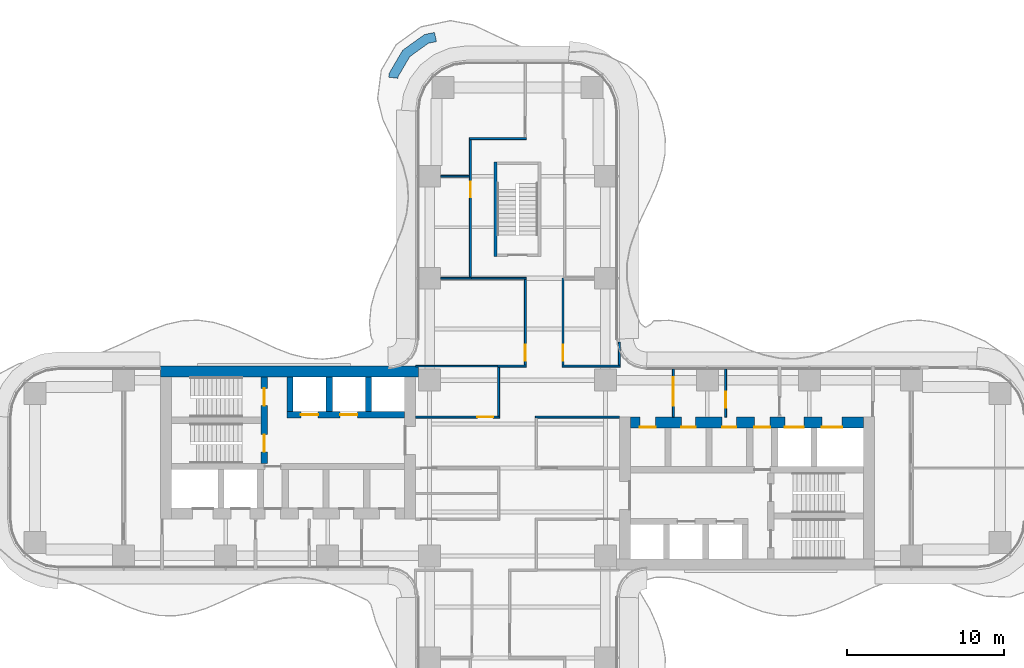
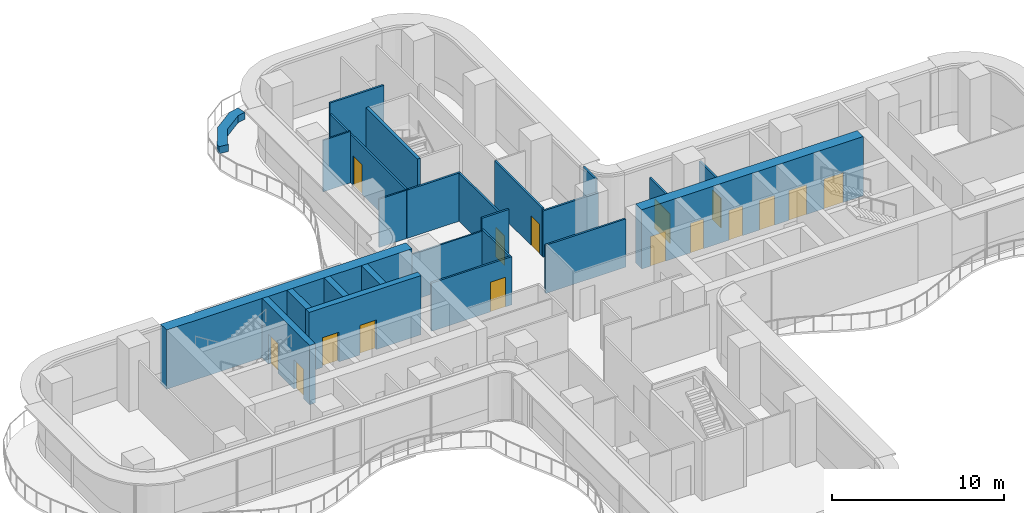
# One storey, part 19 of 22: 25 walls, 16 doors, 16 openings.
"""IFC4 building model written with IfcOpenShell, lengths in metres."""

from ifc_helpers import new_model, si_unit, direction, frame, frame_2d, origin, place, context, subcontext, project, spatial, polyline, rectangle, outline, extrude, source, transform, mapped, material, layer, layer_set, type_object, element, fill, save


model = new_model("IFC4")

# Units and contexts
model_context = context("Model", 3, precision=1e-05, world=origin(), true_north=direction((0.0, 1.0)))
body_context = subcontext(model_context, "Body", "Model", "MODEL_VIEW")
ifc_project = project(units=[si_unit("LENGTHUNIT", "METRE"), si_unit("AREAUNIT", "SQUARE_METRE"), si_unit("VOLUMEUNIT", "CUBIC_METRE"), si_unit("PLANEANGLEUNIT", "RADIAN"), si_unit("MASSUNIT", "GRAM", prefix="KILO")], contexts=[model_context])

# Site, building, storey
site_placement = place(None, origin())
site = spatial("IfcSite", under=ifc_project, at=site_placement, CompositionType="ELEMENT")
building_placement = place(site_placement, origin())
building = spatial("IfcBuilding", under=site, at=building_placement, Name="Trellis Farm Tower", CompositionType="ELEMENT")
storey_placement = place(building_placement, frame((0.0, 0.0, 88.0)))
storey = spatial("IfcBuildingStorey", under=building, at=storey_placement, Name="L18", CompositionType="ELEMENT", Elevation=88.0)

# Wall
ifc_material_1 = material(Name="Plasterboard on steel studs", Category="steel")
ifc_layer_1 = layer(ifc_material_1, 0.10009765625)
ifc_layer_set_1 = layer_set([ifc_layer_1], Name="PARTITION 100 STUD EI 30")
wall_type_1 = type_object("IfcWallType", Name="PARTITION 100 STUD EI 30", PredefinedType="PARTITIONING", material=ifc_layer_set_1)
wall_1_placement = place(storey_placement, frame((-4.89990234375, 18.60009765625, 0.0), z_axis=(0.0, 0.0, 1.0), x_axis=(1.0, 0.0, 0.0)))
element("IfcWall", 1, at=wall_1_placement, inside=storey, type_object=wall_type_1, Name="Partition PW2", PredefinedType="PARTITIONING", context=body_context, shape_type="SweptSolid", body=[
    extrude(rectangle(XDim=1.83740234375, YDim=0.10009765625, at=frame_2d((0.918701171875, 0.0))), origin(), (0.0, 0.0, 1.0), 3.64697265625),
])

# Wall, opening, door
ifc_material_2 = material(Name="Plasterboard on steel studs, mineral wool", Category="steel")
ifc_layer_2 = layer(ifc_material_2, 0.125)
ifc_layer_set_2 = layer_set([ifc_layer_2], Name="PARTITION 125 STUD EI 60")
wall_type_2 = type_object("IfcWallType", Name="PARTITION 125 STUD EI 60", PredefinedType="PARTITIONING", material=ifc_layer_set_2)
wall_2_placement = place(storey_placement, frame((-3.0, 12.14990234375, 0.0), z_axis=(0.0, 0.0, 1.0), x_axis=(0.0, 1.0, 0.0)))
wall_2 = element("IfcWall", 2, at=wall_2_placement, inside=storey, type_object=wall_type_2, Name="Partition PW1", PredefinedType="PARTITIONING", context=body_context, shape_type="SweptSolid", body=[
    extrude(rectangle(XDim=8.78759765625, YDim=0.125, at=frame_2d((4.393798828125, 0.0))), origin(), (0.0, 0.0, 1.0), 3.417724609375),
])
shared_shape_1 = source(origin(), body_context, "Body", "SweptSolid", [
    extrude(rectangle(XDim=1.0, YDim=2.10009765625, at=frame_2d((0.5, 1.050048828125))), frame((0.0, 0.072509765625, 0.0), z_axis=(0.0, -1.0, 0.0), x_axis=(1.0, 0.0, 0.0)), (0.0, 0.0, 1.0), 0.14501953125),
])
opening_1_placement = place(wall_2_placement, frame((5.10009765625, 0.0, 0.0)))
opening_1 = element("IfcOpeningElement", 3, at=opening_1_placement, cuts=wall_2, Name="Opening D112", PredefinedType="OPENING", context=body_context, shape_type="MappedRepresentation", body=[
    mapped(shared_shape_1, transform((0.0, 0.0, 0.0))),
])
ifc_material_3 = material(Name="Fire-rated timber door leaf in a hollow metal frame", Category="wood")
door_type_1 = type_object("IfcDoorType", Name="DOOR 1000x2100 FD30S", OperationType="NOTDEFINED", PredefinedType="DOOR", material=ifc_material_3)
shared_shape_2 = source(origin(), body_context, "Body", "SweptSolid", [
    extrude(rectangle(XDim=1.0, YDim=2.10009765625, at=frame_2d((0.5, 1.050048828125))), frame((0.0, 0.02490234375, 0.0), z_axis=(0.0, -1.0, 0.0), x_axis=(1.0, 0.0, 0.0)), (0.0, 0.0, 1.0), 0.050048828125),
])
door_1_placement = place(opening_1_placement, origin())
door_1 = element("IfcDoor", 4, at=door_1_placement, inside=storey, type_object=door_type_1, Name="Door D112", OperationType="SINGLE_SWING_RIGHT", OverallHeight=2.10009765625, OverallWidth=1.0, PredefinedType="DOOR", context=body_context, shape_type="MappedRepresentation", body=[
    mapped(shared_shape_2, transform((0.0, 0.0, 0.0))),
])
fill(opening_1, door_1)

# Walls
wall_3_placement = place(storey_placement, frame((-3.0625, 21.0, 0.0), z_axis=(0.0, 0.0, 1.0), x_axis=(1.0, 0.0, 0.0)))
element("IfcWall", 5, at=wall_3_placement, inside=storey, type_object=wall_type_2, Name="Partition PW1", PredefinedType="PARTITIONING", context=body_context, shape_type="SweptSolid", body=[
    extrude(rectangle(XDim=3.625, YDim=0.125, at=frame_2d((1.8125, 0.0))), origin(), (0.0, 0.0, 1.0), 4.199951171875),
])
ifc_material_4 = material(Name="Sandstone faced masonry planter", Category="masonry")
ifc_layer_3 = layer(ifc_material_4, 0.60009765625)
ifc_layer_set_3 = layer_set([ifc_layer_3], Name="PLANTER BED 600")
wall_type_3 = type_object("IfcWallType", Name="PLANTER BED 600", PredefinedType="USERDEFINED", material=ifc_layer_set_3)
wall_4_placement = place(storey_placement, origin())
element("IfcWall", 6, at=wall_4_placement, inside=storey, type_object=wall_type_3, Name="PLANTER bed", ObjectType="PLANTER", PredefinedType="USERDEFINED", context=body_context, shape_type="SweptSolid", body=[
    extrude(outline(polyline([(-8.178466796875, 25.1669921875), (-7.3173828125, 26.63720703125), (-5.927734375, 27.63427734375), (-5.288818359375, 27.76904296875), (-5.164794921875, 27.181884765625), (-5.680419921875, 27.072998046875), (-6.864013671875, 26.223876953125), (-7.598876953125, 24.969482421875), (-7.615478515625, 24.839111328125), (-8.210693359375, 24.915283203125), (-8.178466796875, 25.1669921875)])), origin(), (0.0, 0.0, 1.0), 0.5),
])
ifc_material_5 = material(Name="Concrete C80/95", Category="concrete")
ifc_layer_4 = layer(ifc_material_5, 0.39990234375)
ifc_layer_set_4 = layer_set([ifc_layer_4], Name="CORE INNER WALL 400 CONCRETE C80/95")
wall_type_4 = type_object("IfcWallType", Name="CORE INNER WALL 400 CONCRETE C80/95", PredefinedType="SHEAR", material=ifc_layer_set_4)
shared_shape_3 = source(origin(), body_context, "Body", "SweptSolid", [
    extrude(rectangle(XDim=2.199951171875, YDim=0.39990234375, at=frame_2d((1.10009765625, 0.0))), origin(), (0.0, 0.0, 1.0), 4.199951171875),
])
for number, where, z_axis, x_axis, name in (
    (7, (-9.5, 5.800048828125, 0.0), (0.0, 0.0, 1.0), (0.0, -1.0, 0.0), "Core wall"),
    (8, (-12.0, 5.800048828125, 0.0), (0.0, 0.0, 1.0), (0.0, -1.0, 0.0), "Core wall"),
    (9, (-14.5, 5.800048828125, 0.0), (0.0, 0.0, 1.0), (0.0, -1.0, 0.0), "Core wall"),
):
    element("IfcWall", number, at=place(storey_placement, frame(where, z_axis=z_axis, x_axis=x_axis)), inside=storey, type_object=wall_type_4, Name=name, PredefinedType="SHEAR", context=body_context, shape_type="MappedRepresentation", body=[
        mapped(shared_shape_3, transform((0.0, 0.0, 0.0))),
    ])
ifc_layer_5 = layer(ifc_material_5, 0.699951171875)
ifc_layer_set_5 = layer_set([ifc_layer_5], Name="CORE OUTER WALL 700 CONCRETE C80/95")
wall_type_5 = type_object("IfcWallType", Name="CORE OUTER WALL 700 CONCRETE C80/95", PredefinedType="SHEAR", material=ifc_layer_set_5)
shared_shape_4 = source(origin(), body_context, "Body", "SweptSolid", [
    extrude(rectangle(XDim=16.449951171875, YDim=0.699951171875, at=frame_2d((8.22509765625, 0.0))), origin(), (0.0, 0.0, 1.0), 4.199951171875),
])
wall_5_placement = place(storey_placement, frame((-6.300048828125, 6.14990234375, 0.0), z_axis=(0.0, 0.0, 1.0), x_axis=(-1.0, 0.0, 0.0)))
element("IfcWall", 10, at=wall_5_placement, inside=storey, type_object=wall_type_5, Name="Core wall", PredefinedType="SHEAR", context=body_context, shape_type="MappedRepresentation", body=[
    mapped(shared_shape_4, transform((0.0, 0.0, 0.0))),
])

# Wall, openings, doors
shared_shape_5 = source(origin(), body_context, "Body", "SweptSolid", [
    extrude(rectangle(XDim=14.85009765625, YDim=0.699951171875, at=frame_2d((7.425048828125, 0.0))), origin(), (0.0, 0.0, 1.0), 4.199951171875),
])
wall_6_placement = place(storey_placement, frame((7.199951171875, 2.89990234375, 0.0), z_axis=(0.0, 0.0, 1.0), x_axis=(1.0, 0.0, 0.0)))
wall_6 = element("IfcWall", 11, at=wall_6_placement, inside=storey, type_object=wall_type_5, Name="Core wall", PredefinedType="SHEAR", context=body_context, shape_type="MappedRepresentation", body=[
    mapped(shared_shape_5, transform((0.0, 0.0, 0.0))),
])
shared_shape_6 = source(origin(), body_context, "Body", "SweptSolid", [
    extrude(rectangle(XDim=1.300048828125, YDim=2.10009765625, at=frame_2d((0.64990234375, 1.050048828125))), frame((0.0, 0.360107421875, 0.0), z_axis=(0.0, -1.0, 0.0), x_axis=(1.0, 0.0, 0.0)), (0.0, 0.0, 1.0), 0.72021484375),
])
opening_2_placement = place(wall_6_placement, frame((12.199951171875, 0.0, 0.0)))
opening_2 = element("IfcOpeningElement", 12, at=opening_2_placement, cuts=wall_6, Name="Opening LD7", PredefinedType="OPENING", context=body_context, shape_type="MappedRepresentation", body=[
    mapped(shared_shape_6, transform((0.0, 0.0, 0.0))),
])
shared_shape_7 = source(origin(), body_context, "Body", "SweptSolid", [
    extrude(rectangle(XDim=1.199951171875, YDim=2.10009765625, at=frame_2d((0.60009765625, 1.050048828125))), frame((0.0, 0.360107421875, 0.0), z_axis=(0.0, -1.0, 0.0), x_axis=(1.0, 0.0, 0.0)), (0.0, 0.0, 1.0), 0.72021484375),
])
opening_3_placement = place(wall_6_placement, frame((9.85009765625, 0.0, 0.0)))
opening_3 = element("IfcOpeningElement", 13, at=opening_3_placement, cuts=wall_6, Name="Opening LD8", PredefinedType="OPENING", context=body_context, shape_type="MappedRepresentation", body=[
    mapped(shared_shape_7, transform((0.0, 0.0, 0.0))),
])
shared_shape_8 = source(origin(), body_context, "Body", "SweptSolid", [
    extrude(rectangle(XDim=1.0, YDim=2.10009765625, at=frame_2d((0.5, 1.050048828125))), frame((0.0, 0.360107421875, 0.0), z_axis=(0.0, -1.0, 0.0), x_axis=(1.0, 0.0, 0.0)), (0.0, 0.0, 1.0), 0.72021484375),
])
opening_4_placement = place(wall_6_placement, frame((7.89990234375, 0.0, 0.0)))
opening_4 = element("IfcOpeningElement", 14, at=opening_4_placement, cuts=wall_6, Name="Opening DC6", PredefinedType="OPENING", context=body_context, shape_type="MappedRepresentation", body=[
    mapped(shared_shape_8, transform((0.0, 0.0, 0.0))),
])
opening_5_placement = place(wall_6_placement, frame((0.60009765625, 0.0, 0.0)))
opening_5 = element("IfcOpeningElement", 15, at=opening_5_placement, cuts=wall_6, Name="Opening DC13", PredefinedType="OPENING", context=body_context, shape_type="MappedRepresentation", body=[
    mapped(shared_shape_8, transform((0.0, 0.0, 0.0))),
])
shared_shape_9 = source(origin(), body_context, "Body", "SweptSolid", [
    extrude(rectangle(XDim=0.89990234375, YDim=2.10009765625, at=frame_2d((0.449951171875, 1.050048828125))), frame((0.0, 0.360107421875, 0.0), z_axis=(0.0, -1.0, 0.0), x_axis=(1.0, 0.0, 0.0)), (0.0, 0.0, 1.0), 0.72021484375),
])
opening_6_placement = place(wall_6_placement, frame((3.25, 0.0, 0.0)))
opening_6 = element("IfcOpeningElement", 16, at=opening_6_placement, cuts=wall_6, Name="Opening DC24", PredefinedType="OPENING", context=body_context, shape_type="MappedRepresentation", body=[
    mapped(shared_shape_9, transform((0.0, 0.0, 0.0))),
])
opening_7_placement = place(wall_6_placement, frame((5.85009765625, 0.0, 0.0)))
opening_7 = element("IfcOpeningElement", 17, at=opening_7_placement, cuts=wall_6, Name="Opening DC35", PredefinedType="OPENING", context=body_context, shape_type="MappedRepresentation", body=[
    mapped(shared_shape_9, transform((0.0, 0.0, 0.0))),
])
ifc_material_6 = material(Name="Steel", Category="steel")
door_type_2 = type_object("IfcDoorType", Name="CORE FIRE DOOR 1000 X 2100", OperationType="NOTDEFINED", PredefinedType="DOOR", material=ifc_material_6)
shared_shape_10 = source(origin(), body_context, "Body", "SweptSolid", [
    extrude(rectangle(XDim=1.0, YDim=2.10009765625, at=frame_2d((0.5, 1.050048828125))), frame((0.0, -0.27490234375, 0.0), z_axis=(0.0, -1.0, 0.0), x_axis=(1.0, 0.0, 0.0)), (0.0, 0.0, 1.0), 0.050048828125),
])
door_2_placement = place(opening_4_placement, origin())
door_2 = element("IfcDoor", 18, at=door_2_placement, inside=storey, type_object=door_type_2, Name="Core door", OperationType="SINGLE_SWING_LEFT", OverallHeight=2.10009765625, OverallWidth=1.0, PredefinedType="DOOR", context=body_context, shape_type="MappedRepresentation", body=[
    mapped(shared_shape_10, transform((0.0, 0.0, 0.0))),
])
fill(opening_4, door_2)
door_3_placement = place(opening_5_placement, origin())
door_3 = element("IfcDoor", 19, at=door_3_placement, inside=storey, type_object=door_type_2, Name="Core door", OperationType="SINGLE_SWING_LEFT", OverallHeight=2.10009765625, OverallWidth=1.0, PredefinedType="DOOR", context=body_context, shape_type="MappedRepresentation", body=[
    mapped(shared_shape_10, transform((0.0, 0.0, 0.0))),
])
fill(opening_5, door_3)
door_type_3 = type_object("IfcDoorType", Name="CORE FIRE DOOR 900 X 2100", OperationType="NOTDEFINED", PredefinedType="DOOR", material=ifc_material_6)
shared_shape_11 = source(origin(), body_context, "Body", "SweptSolid", [
    extrude(rectangle(XDim=0.89990234375, YDim=2.10009765625, at=frame_2d((0.449951171875, 1.050048828125))), frame((0.0, -0.27490234375, 0.0), z_axis=(0.0, -1.0, 0.0), x_axis=(1.0, 0.0, 0.0)), (0.0, 0.0, 1.0), 0.050048828125),
])
door_4_placement = place(opening_6_placement, origin())
door_4 = element("IfcDoor", 20, at=door_4_placement, inside=storey, type_object=door_type_3, Name="Core door", OperationType="SINGLE_SWING_RIGHT", OverallHeight=2.10009765625, OverallWidth=0.89990234375, PredefinedType="DOOR", context=body_context, shape_type="MappedRepresentation", body=[
    mapped(shared_shape_11, transform((0.0, 0.0, 0.0))),
])
fill(opening_6, door_4)
door_5_placement = place(opening_7_placement, origin())
door_5 = element("IfcDoor", 21, at=door_5_placement, inside=storey, type_object=door_type_3, Name="Core door", OperationType="SINGLE_SWING_LEFT", OverallHeight=2.10009765625, OverallWidth=0.89990234375, PredefinedType="DOOR", context=body_context, shape_type="MappedRepresentation", body=[
    mapped(shared_shape_11, transform((0.0, 0.0, 0.0))),
])
fill(opening_7, door_5)
ifc_material_7 = material(Name="Stainless steel", Category="steel")
door_type_4 = type_object("IfcDoorType", Name="LIFT LANDING DOOR 1300 X 2100", OperationType="DOUBLE_DOOR_SLIDING", PredefinedType="DOOR", material=ifc_material_7)
shared_shape_12 = source(origin(), body_context, "Body", "SweptSolid", [
    extrude(rectangle(XDim=1.300048828125, YDim=2.10009765625, at=frame_2d((0.64990234375, 1.050048828125))), frame((0.0, -0.27490234375, 0.0), z_axis=(0.0, -1.0, 0.0), x_axis=(1.0, 0.0, 0.0)), (0.0, 0.0, 1.0), 0.050048828125),
])
door_6_placement = place(opening_2_placement, origin())
door_6 = element("IfcDoor", 22, at=door_6_placement, inside=storey, type_object=door_type_4, Name="Lift landing door", OperationType="DOUBLE_DOOR_SLIDING", OverallHeight=2.10009765625, OverallWidth=1.300048828125, PredefinedType="DOOR", context=body_context, shape_type="MappedRepresentation", body=[
    mapped(shared_shape_12, transform((0.0, 0.0, 0.0))),
])
fill(opening_2, door_6)
door_type_5 = type_object("IfcDoorType", Name="LIFT LANDING DOOR 1200 X 2100", OperationType="DOUBLE_DOOR_SLIDING", PredefinedType="DOOR", material=ifc_material_7)
shared_shape_13 = source(origin(), body_context, "Body", "SweptSolid", [
    extrude(rectangle(XDim=1.199951171875, YDim=2.10009765625, at=frame_2d((0.60009765625, 1.050048828125))), frame((0.0, -0.27490234375, 0.0), z_axis=(0.0, -1.0, 0.0), x_axis=(1.0, 0.0, 0.0)), (0.0, 0.0, 1.0), 0.050048828125),
])
door_7_placement = place(opening_3_placement, origin())
door_7 = element("IfcDoor", 23, at=door_7_placement, inside=storey, type_object=door_type_5, Name="Lift landing door", OperationType="DOUBLE_DOOR_SLIDING", OverallHeight=2.10009765625, OverallWidth=1.199951171875, PredefinedType="DOOR", context=body_context, shape_type="MappedRepresentation", body=[
    mapped(shared_shape_13, transform((0.0, 0.0, 0.0))),
])
fill(opening_3, door_7)

shared_shape_14 = source(origin(), body_context, "Body", "SweptSolid", [
    extrude(rectangle(XDim=7.5, YDim=0.39990234375, at=frame_2d((3.75, 0.0))), origin(), (0.0, 0.0, 1.0), 4.199951171875),
])
wall_7_placement = place(storey_placement, frame((-7.199951171875, 3.39990234375, 0.0), z_axis=(0.0, 0.0, 1.0), x_axis=(-1.0, 0.0, 0.0)))
wall_7 = element("IfcWall", 24, at=wall_7_placement, inside=storey, type_object=wall_type_4, Name="Core wall", PredefinedType="SHEAR", context=body_context, shape_type="MappedRepresentation", body=[
    mapped(shared_shape_14, transform((0.0, 0.0, 0.0))),
])
shared_shape_15 = source(origin(), body_context, "Body", "SweptSolid", [
    extrude(rectangle(XDim=1.10009765625, YDim=2.10009765625, at=frame_2d((0.550048828125, 1.050048828125))), frame((0.0, 0.2099609375, 0.0), z_axis=(0.0, -1.0, 0.0), x_axis=(1.0, 0.0, 0.0)), (0.0, 0.0, 1.0), 0.419921875),
])
opening_8_placement = place(wall_7_placement, frame((3.0, 0.0, 0.0)))
opening_8 = element("IfcOpeningElement", 25, at=opening_8_placement, cuts=wall_7, Name="Opening LD10", PredefinedType="OPENING", context=body_context, shape_type="MappedRepresentation", body=[
    mapped(shared_shape_15, transform((0.0, 0.0, 0.0))),
])
opening_9_placement = place(wall_7_placement, frame((5.5, 0.0, 0.0)))
opening_9 = element("IfcOpeningElement", 26, at=opening_9_placement, cuts=wall_7, Name="Opening LD11", PredefinedType="OPENING", context=body_context, shape_type="MappedRepresentation", body=[
    mapped(shared_shape_15, transform((0.0, 0.0, 0.0))),
])
door_type_6 = type_object("IfcDoorType", Name="LIFT LANDING DOOR 1100 X 2100", OperationType="DOUBLE_DOOR_SLIDING", PredefinedType="DOOR", material=ifc_material_7)
shared_shape_16 = source(origin(), body_context, "Body", "SweptSolid", [
    extrude(rectangle(XDim=1.10009765625, YDim=2.10009765625, at=frame_2d((0.550048828125, 1.050048828125))), frame((0.0, 0.02490234375, 0.0), z_axis=(0.0, -1.0, 0.0), x_axis=(1.0, 0.0, 0.0)), (0.0, 0.0, 1.0), 0.050048828125),
])
door_8_placement = place(opening_8_placement, origin())
door_8 = element("IfcDoor", 27, at=door_8_placement, inside=storey, type_object=door_type_6, Name="Lift landing door", OperationType="DOUBLE_DOOR_SLIDING", OverallHeight=2.10009765625, OverallWidth=1.10009765625, PredefinedType="DOOR", context=body_context, shape_type="MappedRepresentation", body=[
    mapped(shared_shape_16, transform((0.0, 0.0, 0.0))),
])
fill(opening_8, door_8)
door_9_placement = place(opening_9_placement, origin())
door_9 = element("IfcDoor", 28, at=door_9_placement, inside=storey, type_object=door_type_6, Name="Lift landing door", OperationType="DOUBLE_DOOR_SLIDING", OverallHeight=2.10009765625, OverallWidth=1.10009765625, PredefinedType="DOOR", context=body_context, shape_type="MappedRepresentation", body=[
    mapped(shared_shape_16, transform((0.0, 0.0, 0.0))),
])
fill(opening_9, door_9)

shared_shape_17 = source(origin(), body_context, "Body", "SweptSolid", [
    extrude(rectangle(XDim=5.5, YDim=0.39990234375, at=frame_2d((2.75, 0.0))), origin(), (0.0, 0.0, 1.0), 4.199951171875),
])
wall_8_placement = place(storey_placement, frame((-16.14990234375, 5.800048828125, 0.0), z_axis=(0.0, 0.0, 1.0), x_axis=(0.0, -1.0, 0.0)))
wall_8 = element("IfcWall", 29, at=wall_8_placement, inside=storey, type_object=wall_type_4, Name="Core wall", PredefinedType="SHEAR", context=body_context, shape_type="MappedRepresentation", body=[
    mapped(shared_shape_17, transform((0.0, 0.0, 0.0))),
])
opening_10_placement = place(wall_8_placement, frame((0.72509765625, 0.0, 0.0)))
opening_10 = element("IfcOpeningElement", 30, at=opening_10_placement, cuts=wall_8, Name="Opening DC88", PredefinedType="OPENING", context=body_context, shape_type="MappedRepresentation", body=[
    mapped(shared_shape_15, transform((0.0, 0.0, 0.0))),
])
opening_11_placement = place(wall_8_placement, frame((3.675048828125, 0.0, 0.0)))
opening_11 = element("IfcOpeningElement", 31, at=opening_11_placement, cuts=wall_8, Name="Opening DC89", PredefinedType="OPENING", context=body_context, shape_type="MappedRepresentation", body=[
    mapped(shared_shape_15, transform((0.0, 0.0, 0.0))),
])
door_type_7 = type_object("IfcDoorType", Name="CORE FIRE DOOR 1100 X 2100", OperationType="NOTDEFINED", PredefinedType="DOOR", material=ifc_material_6)
door_10_placement = place(opening_10_placement, origin())
door_10 = element("IfcDoor", 32, at=door_10_placement, inside=storey, type_object=door_type_7, Name="Core door", OperationType="SINGLE_SWING_RIGHT", OverallHeight=2.10009765625, OverallWidth=1.10009765625, PredefinedType="DOOR", context=body_context, shape_type="MappedRepresentation", body=[
    mapped(shared_shape_16, transform((0.0, 0.0, 0.0))),
])
fill(opening_10, door_10)
door_11_placement = place(opening_11_placement, origin())
door_11 = element("IfcDoor", 33, at=door_11_placement, inside=storey, type_object=door_type_7, Name="Core door", OperationType="SINGLE_SWING_LEFT", OverallHeight=2.10009765625, OverallWidth=1.10009765625, PredefinedType="DOOR", context=body_context, shape_type="MappedRepresentation", body=[
    mapped(shared_shape_16, transform((0.0, 0.0, 0.0))),
])
fill(opening_11, door_11)

# Wall
ifc_layer_6 = layer(ifc_material_5, 0.199951171875)
ifc_layer_set_6 = layer_set([ifc_layer_6], Name="CORE STAIR ENCLOSURE WALL 200 CONCRETE C80/95")
wall_type_6 = type_object("IfcWallType", Name="CORE STAIR ENCLOSURE WALL 200 CONCRETE C80/95", PredefinedType="SHEAR", material=ifc_layer_set_6)
shared_shape_18 = source(origin(), body_context, "Body", "SweptSolid", [
    extrude(rectangle(XDim=6.0, YDim=0.199951171875, at=frame_2d((3.0, 0.0))), origin(), (0.0, 0.0, 1.0), 4.199951171875),
])
wall_9_placement = place(storey_placement, frame((-1.39990234375, 13.5, 0.0), z_axis=(0.0, 0.0, 1.0), x_axis=(0.0, 1.0, 0.0)))
element("IfcWall", 34, at=wall_9_placement, inside=storey, type_object=wall_type_6, Name="Stair enclosure wall", PredefinedType="SHEAR", context=body_context, shape_type="MappedRepresentation", body=[
    mapped(shared_shape_18, transform((0.0, 0.0, 0.0))),
])

# Wall, opening, door
shared_shape_19 = source(origin(), body_context, "Body", "SweptSolid", [
    extrude(rectangle(XDim=3.050048828125, YDim=0.125, at=frame_2d((1.52490234375, 0.0))), origin(), (0.0, 0.0, 1.0), 3.280029296875),
])
wall_10_placement = place(storey_placement, frame((9.93408203125, 3.25, 0.0), z_axis=(0.0, 0.0, 1.0), x_axis=(0.0, 1.0, 0.0)))
wall_10 = element("IfcWall", 35, at=wall_10_placement, inside=storey, type_object=wall_type_2, Name="Partition PW1", PredefinedType="PARTITIONING", context=body_context, shape_type="MappedRepresentation", body=[
    mapped(shared_shape_19, transform((0.0, 0.0, 0.0))),
])
shared_shape_20 = source(origin(), body_context, "Body", "SweptSolid", [
    extrude(rectangle(XDim=1.800048828125, YDim=2.10009765625, at=frame_2d((0.89990234375, 1.050048828125))), frame((0.0, 0.072509765625, 0.0), z_axis=(0.0, -1.0, 0.0), x_axis=(1.0, 0.0, 0.0)), (0.0, 0.0, 1.0), 0.14501953125),
])
opening_12_placement = place(wall_10_placement, frame((0.72509765625, 0.0, 0.0)))
opening_12 = element("IfcOpeningElement", 36, at=opening_12_placement, cuts=wall_10, Name="Opening D402", PredefinedType="OPENING", context=body_context, shape_type="MappedRepresentation", body=[
    mapped(shared_shape_20, transform((0.0, 0.0, 0.0))),
])
door_type_8 = type_object("IfcDoorType", Name="DOOR PAIR 1800x2100 FD60", OperationType="NOTDEFINED", PredefinedType="DOOR", material=ifc_material_3)
shared_shape_21 = source(origin(), body_context, "Body", "SweptSolid", [
    extrude(rectangle(XDim=1.800048828125, YDim=2.10009765625, at=frame_2d((0.89990234375, 1.050048828125))), frame((0.0, 0.02490234375, 0.0), z_axis=(0.0, -1.0, 0.0), x_axis=(1.0, 0.0, 0.0)), (0.0, 0.0, 1.0), 0.050048828125),
])
door_12_placement = place(opening_12_placement, origin())
door_12 = element("IfcDoor", 37, at=door_12_placement, inside=storey, type_object=door_type_8, Name="Door D402", OperationType="DOUBLE_DOOR_SINGLE_SWING", OverallHeight=2.10009765625, OverallWidth=1.800048828125, PredefinedType="DOOR", context=body_context, shape_type="MappedRepresentation", body=[
    mapped(shared_shape_21, transform((0.0, 0.0, 0.0))),
])
fill(opening_12, door_12)

wall_11_placement = place(storey_placement, frame((13.26708984375, 3.25, 0.0), z_axis=(0.0, 0.0, 1.0), x_axis=(0.0, 1.0, 0.0)))
wall_11 = element("IfcWall", 38, at=wall_11_placement, inside=storey, type_object=wall_type_2, Name="Partition PW1", PredefinedType="PARTITIONING", context=body_context, shape_type="MappedRepresentation", body=[
    mapped(shared_shape_19, transform((0.0, 0.0, 0.0))),
])
opening_13_placement = place(wall_11_placement, frame((0.60009765625, 0.0, 0.0)))
opening_13 = element("IfcOpeningElement", 39, at=opening_13_placement, cuts=wall_11, Name="Opening D302", PredefinedType="OPENING", context=body_context, shape_type="MappedRepresentation", body=[
    mapped(shared_shape_1, transform((0.0, 0.0, 0.0))),
])
door_type_9 = type_object("IfcDoorType", Name="DOOR 1000x2100 FD60", OperationType="NOTDEFINED", PredefinedType="DOOR", material=ifc_material_3)
door_13_placement = place(opening_13_placement, origin())
door_13 = element("IfcDoor", 40, at=door_13_placement, inside=storey, type_object=door_type_9, Name="Door D302", OperationType="SINGLE_SWING_LEFT", OverallHeight=2.10009765625, OverallWidth=1.0, PredefinedType="DOOR", context=body_context, shape_type="MappedRepresentation", body=[
    mapped(shared_shape_2, transform((0.0, 0.0, 0.0))),
])
fill(opening_13, door_13)

shared_shape_22 = source(origin(), body_context, "Body", "SweptSolid", [
    extrude(rectangle(XDim=5.47509765625, YDim=0.125, at=frame_2d((2.737548828125, 0.0))), origin(), (0.0, 0.0, 1.0), 3.417724609375),
])
wall_12_placement = place(storey_placement, frame((0.5, 12.03759765625, 0.0), z_axis=(0.0, 0.0, 1.0), x_axis=(0.0, -1.0, 0.0)))
wall_12 = element("IfcWall", 41, at=wall_12_placement, inside=storey, type_object=wall_type_2, Name="Partition PW1", PredefinedType="PARTITIONING", context=body_context, shape_type="MappedRepresentation", body=[
    mapped(shared_shape_22, transform((0.0, 0.0, 0.0))),
])
opening_14_placement = place(wall_12_placement, frame((4.1875, 0.0, 0.0)))
opening_14 = element("IfcOpeningElement", 42, at=opening_14_placement, cuts=wall_12, Name="Opening D110", PredefinedType="OPENING", context=body_context, shape_type="MappedRepresentation", body=[
    mapped(shared_shape_1, transform((0.0, 0.0, 0.0))),
])
door_14_placement = place(opening_14_placement, origin())
door_14 = element("IfcDoor", 43, at=door_14_placement, inside=storey, type_object=door_type_1, Name="Door D110", OperationType="SINGLE_SWING_RIGHT", OverallHeight=2.10009765625, OverallWidth=1.0, PredefinedType="DOOR", context=body_context, shape_type="MappedRepresentation", body=[
    mapped(shared_shape_2, transform((0.0, 0.0, 0.0))),
])
fill(opening_14, door_14)

# Wall
shared_shape_23 = source(origin(), body_context, "Body", "SweptSolid", [
    extrude(rectangle(XDim=3.137451171875, YDim=0.125, at=frame_2d((1.56884765625, 0.0))), origin(), (0.0, 0.0, 1.0), 3.417724609375),
])
wall_13_placement = place(storey_placement, frame((-1.199951171875, 6.449951171875, 0.0), z_axis=(0.0, 0.0, 1.0), x_axis=(0.0, -1.0, 0.0)))
element("IfcWall", 44, at=wall_13_placement, inside=storey, type_object=wall_type_2, Name="Partition PW1", PredefinedType="PARTITIONING", context=body_context, shape_type="MappedRepresentation", body=[
    mapped(shared_shape_23, transform((0.0, 0.0, 0.0))),
])

# Wall, opening, door
shared_shape_24 = source(origin(), body_context, "Body", "SweptSolid", [
    extrude(rectangle(XDim=5.53759765625, YDim=0.125, at=frame_2d((2.768798828125, 0.0))), origin(), (0.0, 0.0, 1.0), 3.417724609375),
])
wall_14_placement = place(storey_placement, frame((2.89990234375, 12.10009765625, 0.0), z_axis=(0.0, 0.0, 1.0), x_axis=(0.0, -1.0, 0.0)))
wall_14 = element("IfcWall", 45, at=wall_14_placement, inside=storey, type_object=wall_type_2, Name="Partition PW1", PredefinedType="PARTITIONING", context=body_context, shape_type="MappedRepresentation", body=[
    mapped(shared_shape_24, transform((0.0, 0.0, 0.0))),
])
opening_15_placement = place(wall_14_placement, frame((4.25, 0.0, 0.0)))
opening_15 = element("IfcOpeningElement", 46, at=opening_15_placement, cuts=wall_14, Name="Opening D111", PredefinedType="OPENING", context=body_context, shape_type="MappedRepresentation", body=[
    mapped(shared_shape_1, transform((0.0, 0.0, 0.0))),
])
door_15_placement = place(opening_15_placement, origin())
door_15 = element("IfcDoor", 47, at=door_15_placement, inside=storey, type_object=door_type_1, Name="Door D111", OperationType="SINGLE_SWING_RIGHT", OverallHeight=2.10009765625, OverallWidth=1.0, PredefinedType="DOOR", context=body_context, shape_type="MappedRepresentation", body=[
    mapped(shared_shape_2, transform((0.0, 0.0, 0.0))),
])
fill(opening_15, door_15)

# Wall
shared_shape_25 = source(origin(), body_context, "Body", "SweptSolid", [
    extrude(rectangle(XDim=1.468994140625, YDim=0.125, at=frame_2d((0.734375, 0.0))), origin(), (0.0, 0.0, 1.0), 4.199951171875),
])
wall_15_placement = place(storey_placement, frame((6.5, 6.5625, 0.0), z_axis=(0.0, 0.0, 1.0), x_axis=(0.0, 1.0, 0.0)))
element("IfcWall", 48, at=wall_15_placement, inside=storey, type_object=wall_type_2, Name="Partition PW1", PredefinedType="PARTITIONING", context=body_context, shape_type="MappedRepresentation", body=[
    mapped(shared_shape_25, transform((0.0, 0.0, 0.0))),
])

# Wall, opening, door
shared_shape_26 = source(origin(), body_context, "Body", "SweptSolid", [
    extrude(rectangle(XDim=5.362548828125, YDim=0.125, at=frame_2d((2.68115234375, 0.0))), origin(), (0.0, 0.0, 1.0), 3.417724609375),
])
wall_16_placement = place(storey_placement, frame((-6.5, 3.25, 0.0), z_axis=(0.0, 0.0, 1.0), x_axis=(1.0, 0.0, 0.0)))
wall_16 = element("IfcWall", 49, at=wall_16_placement, inside=storey, type_object=wall_type_2, Name="Partition PW1", PredefinedType="PARTITIONING", context=body_context, shape_type="MappedRepresentation", body=[
    mapped(shared_shape_26, transform((0.0, 0.0, 0.0))),
])
opening_16_placement = place(wall_16_placement, frame((3.949951171875, 0.0, 0.0)))
opening_16 = element("IfcOpeningElement", 50, at=opening_16_placement, cuts=wall_16, Name="Opening D109", PredefinedType="OPENING", context=body_context, shape_type="MappedRepresentation", body=[
    mapped(shared_shape_1, transform((0.0, 0.0, 0.0))),
])
door_16_placement = place(opening_16_placement, origin())
door_16 = element("IfcDoor", 51, at=door_16_placement, inside=storey, type_object=door_type_1, Name="Door D109", OperationType="SINGLE_SWING_RIGHT", OverallHeight=2.10009765625, OverallWidth=1.0, PredefinedType="DOOR", context=body_context, shape_type="MappedRepresentation", body=[
    mapped(shared_shape_2, transform((0.0, 0.0, 0.0))),
])
fill(opening_16, door_16)

# Walls
wall_17_placement = place(storey_placement, frame((1.137451171875, 3.25, 0.0), z_axis=(0.0, 0.0, 1.0), x_axis=(1.0, 0.0, 0.0)))
element("IfcWall", 52, at=wall_17_placement, inside=storey, type_object=wall_type_2, Name="Partition PW1", PredefinedType="PARTITIONING", context=body_context, shape_type="MappedRepresentation", body=[
    mapped(shared_shape_26, transform((0.0, 0.0, 0.0))),
])
shared_shape_27 = source(origin(), body_context, "Body", "SweptSolid", [
    extrude(rectangle(XDim=5.362548828125, YDim=0.10009765625, at=frame_2d((2.68115234375, 0.0))), origin(), (0.0, 0.0, 1.0), 3.280029296875),
])
wall_18_placement = place(storey_placement, frame((-6.5, 6.5, 0.0), z_axis=(0.0, 0.0, 1.0), x_axis=(1.0, 0.0, 0.0)))
element("IfcWall", 53, at=wall_18_placement, inside=storey, type_object=wall_type_1, Name="Partition PW2", PredefinedType="PARTITIONING", context=body_context, shape_type="MappedRepresentation", body=[
    mapped(shared_shape_27, transform((0.0, 0.0, 0.0))),
])
shared_shape_28 = source(origin(), body_context, "Body", "SweptSolid", [
    extrude(rectangle(XDim=1.824951171875, YDim=0.125, at=frame_2d((0.91259765625, 0.0))), origin(), (0.0, 0.0, 1.0), 4.199951171875),
])
wall_19_placement = place(storey_placement, frame((-1.262451171875, 6.5, 0.0), z_axis=(0.0, 0.0, 1.0), x_axis=(1.0, 0.0, 0.0)))
element("IfcWall", 54, at=wall_19_placement, inside=storey, type_object=wall_type_2, Name="Partition PW1", PredefinedType="PARTITIONING", context=body_context, shape_type="MappedRepresentation", body=[
    mapped(shared_shape_28, transform((0.0, 0.0, 0.0))),
])
shared_shape_29 = source(origin(), body_context, "Body", "SweptSolid", [
    extrude(rectangle(XDim=3.72509765625, YDim=0.125, at=frame_2d((1.862548828125, 0.0))), origin(), (0.0, 0.0, 1.0), 3.280029296875),
])
wall_20_placement = place(storey_placement, frame((2.83740234375, 6.5, 0.0), z_axis=(0.0, 0.0, 1.0), x_axis=(1.0, 0.0, 0.0)))
element("IfcWall", 55, at=wall_20_placement, inside=storey, type_object=wall_type_2, Name="Partition PW1", PredefinedType="PARTITIONING", context=body_context, shape_type="MappedRepresentation", body=[
    mapped(shared_shape_29, transform((0.0, 0.0, 0.0))),
])
shared_shape_30 = source(origin(), body_context, "Body", "SweptSolid", [
    extrude(rectangle(XDim=1.96240234375, YDim=0.10009765625, at=frame_2d((0.981201171875, 0.0))), origin(), (0.0, 0.0, 1.0), 3.417724609375),
])
wall_21_placement = place(storey_placement, frame((-4.89990234375, 12.10009765625, 0.0), z_axis=(0.0, 0.0, 1.0), x_axis=(1.0, 0.0, 0.0)))
element("IfcWall", 56, at=wall_21_placement, inside=storey, type_object=wall_type_1, Name="Partition PW2", PredefinedType="PARTITIONING", context=body_context, shape_type="MappedRepresentation", body=[
    mapped(shared_shape_30, transform((0.0, 0.0, 0.0))),
])
shared_shape_31 = source(origin(), body_context, "Body", "SweptSolid", [
    extrude(rectangle(XDim=3.625, YDim=0.125, at=frame_2d((1.8125, 0.0))), origin(), (0.0, 0.0, 1.0), 3.417724609375),
])
wall_22_placement = place(storey_placement, frame((0.5625, 12.10009765625, 0.0), z_axis=(0.0, 0.0, 1.0), x_axis=(-1.0, 0.0, 0.0)))
element("IfcWall", 57, at=wall_22_placement, inside=storey, type_object=wall_type_2, Name="Partition PW1", PredefinedType="PARTITIONING", context=body_context, shape_type="MappedRepresentation", body=[
    mapped(shared_shape_31, transform((0.0, 0.0, 0.0))),
])

save(model, "model.ifc")
